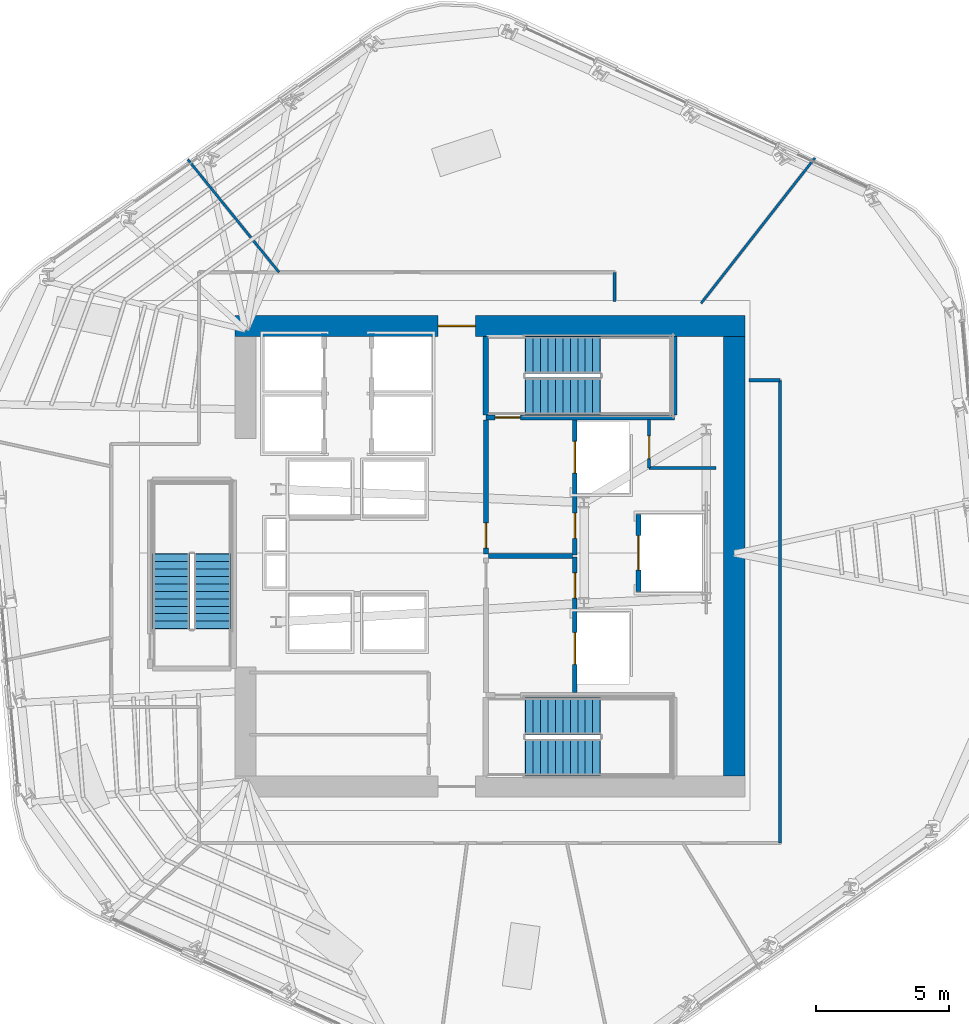
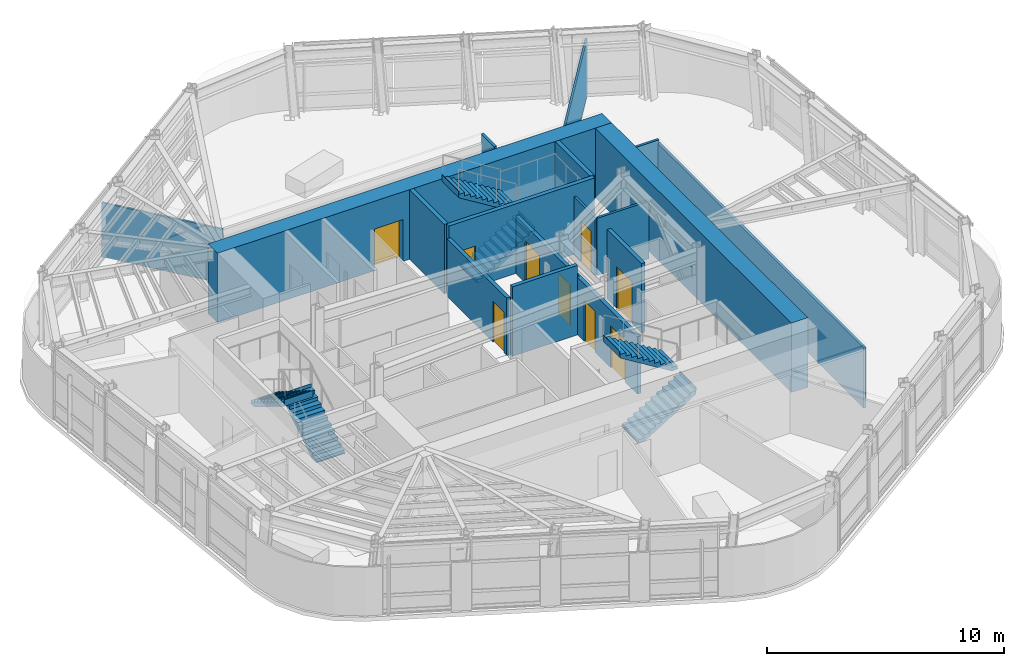
# One storey, part 9 of 14: 17 walls, 9 doors, 6 stair flights, 9 openings, 3 elements without a shape of their own.
"""IFC4 building model written with IfcOpenShell, lengths in metres."""

from ifc_helpers import new_model, si_unit, direction, frame, frame_2d, origin, place, context, subcontext, project, spatial, polyline, rectangle, outline, extrude, material, layer, layer_set, type_object, element, fill, aggregate, save


model = new_model("IFC4")

# Units and contexts
model_context = context("Model", 3, precision=1e-05, world=origin(), true_north=direction((0.0, 1.0)))
body_context = subcontext(model_context, "Body", "Model", "MODEL_VIEW")
ifc_project = project(units=[si_unit("LENGTHUNIT", "METRE"), si_unit("AREAUNIT", "SQUARE_METRE"), si_unit("VOLUMEUNIT", "CUBIC_METRE"), si_unit("PLANEANGLEUNIT", "RADIAN"), si_unit("MASSUNIT", "GRAM", prefix="KILO")], contexts=[model_context])

# Site, building, storey
site_placement = place(None, origin())
site = spatial("IfcSite", under=ifc_project, at=site_placement, CompositionType="ELEMENT")
building_placement = place(site_placement, origin())
building = spatial("IfcBuilding", under=site, at=building_placement, Name="Valkerne Bourse Tower", CompositionType="ELEMENT")
storey_placement = place(building_placement, frame((0.0, 0.0, 174.199951171875)))
storey = spatial("IfcBuildingStorey", under=building, at=storey_placement, Name="L44", CompositionType="ELEMENT", Elevation=174.199951171875)

# Wall, opening, door
ifc_material_1 = material(Name="Concrete C55/67", Category="concrete")
ifc_layer_1 = layer(ifc_material_1, 0.800048828125)
ifc_layer_set_1 = layer_set([ifc_layer_1], Name="Concrete C55/67")
wall_type_1 = type_object("IfcWallType", Name="W-CORE-800", PredefinedType="SHEAR", material=ifc_layer_set_1)
wall_1_placement = place(storey_placement, frame((37.199951171875, 35.550048828125, 0.0), z_axis=(0.0, 0.0, 1.0), x_axis=(1.0, 0.0, 0.0)))
wall_1 = element("IfcWall", 1, at=wall_1_placement, inside=storey, type_object=wall_type_1, Name="L44 Core Shear Wall NORTH", PredefinedType="SHEAR", context=body_context, shape_type="SweptSolid", body=[
    extrude(rectangle(XDim=19.199951171875, YDim=0.800048828125, at=frame_2d((9.60009765625, 0.0))), origin(), (0.0, 0.0, 1.0), 3.580078125),
])
opening_1_placement = place(wall_1_placement, frame((7.64990234375, 0.0, 0.0)))
opening_1 = element("IfcOpeningElement", 2, at=opening_1_placement, cuts=wall_1, Name="Opening D-PL-1400", PredefinedType="OPENING", context=body_context, shape_type="SweptSolid", body=[
    extrude(rectangle(XDim=1.39990234375, YDim=2.14990234375, at=frame_2d((0.699951171875, 1.074951171875))), frame((0.0, 0.409912109375, 0.0), z_axis=(0.0, -1.0, 0.0), x_axis=(1.0, 0.0, 0.0)), (0.0, 0.0, 1.0), 0.820068359375),
])
ifc_material_2 = material(Name="Galvanised Painted Steel", Category="steel")
door_type_1 = type_object("IfcDoorType", Name="DR-PLT-1400", OperationType="DOUBLE_DOOR_SINGLE_SWING", PredefinedType="DOOR", material=ifc_material_2)
door_1_placement = place(opening_1_placement, origin())
door_1 = element("IfcDoor", 3, at=door_1_placement, inside=storey, type_object=door_type_1, Name="L44 North Passenger Lift Hall Fire Door", OperationType="DOUBLE_DOOR_SINGLE_SWING", OverallHeight=2.14990234375, OverallWidth=1.39990234375, PredefinedType="DOOR", context=body_context, shape_type="SweptSolid", body=[
    extrude(rectangle(XDim=1.39990234375, YDim=2.14990234375, at=frame_2d((0.699951171875, 1.074951171875))), frame((0.0, 0.02490234375, 0.0), z_axis=(0.0, -1.0, 0.0), x_axis=(1.0, 0.0, 0.0)), (0.0, 0.0, 1.0), 0.050048828125),
])
fill(opening_1, door_1)

# Wall
wall_2_placement = place(storey_placement, frame((56.0, 18.60009765625, 0.0), z_axis=(0.0, 0.0, 1.0), x_axis=(0.0, 1.0, 0.0)))
element("IfcWall", 4, at=wall_2_placement, inside=storey, type_object=wall_type_1, Name="L44 Core Shear Wall EAST", PredefinedType="SHEAR", context=body_context, shape_type="SweptSolid", body=[
    extrude(rectangle(XDim=16.5498046875, YDim=0.800048828125, at=frame_2d((8.27490234375, 0.0))), origin(), (0.0, 0.0, 1.0), 3.580078125),
])

# Wall, opening, door
ifc_material_3 = material(Name="Gypsum Board Steel-Stud Partition", Category="steel")
ifc_layer_2 = layer(ifc_material_3, 0.117919921875)
ifc_layer_set_2 = layer_set([ifc_layer_2], Name="Gypsum Board Steel-Stud Partition")
wall_type_2 = type_object("IfcWallType", Name="W-CORR-140", PredefinedType="PARTITIONING", material=ifc_layer_set_2)
wall_3_placement = place(storey_placement, frame((52.800048828125, 30.199951171875, 0.0), z_axis=(0.0, 0.0, 1.0), x_axis=(0.0, 1.0, 0.0)))
wall_3 = element("IfcWall", 5, at=wall_3_placement, inside=storey, type_object=wall_type_2, Name="L44 Core NE Bay West Wall", PredefinedType="PARTITIONING", context=body_context, shape_type="SweptSolid", body=[
    extrude(rectangle(XDim=1.820068359375, YDim=0.117919921875, at=frame_2d((0.91015625, 0.0))), origin(), (0.0, 0.0, 1.0), 2.9580078125),
])
opening_2_placement = place(wall_3_placement, frame((0.35009765625, 0.0, 0.0)))
opening_2 = element("IfcOpeningElement", 6, at=opening_2_placement, cuts=wall_3, Name="Opening D-WC-900", PredefinedType="OPENING", context=body_context, shape_type="SweptSolid", body=[
    extrude(rectangle(XDim=0.860107421875, YDim=2.050048828125, at=frame_2d((0.43017578125, 1.02490234375))), frame((0.0, 0.06884765625, 0.0), z_axis=(0.0, -1.0, 0.0), x_axis=(1.0, 0.0, 0.0)), (0.0, 0.0, 1.0), 0.137939453125),
])
ifc_material_4 = material(Name="Architectural White Oak Timber", Category="wood")
door_type_2 = type_object("IfcDoorType", Name="DR-WC-900", OperationType="NOTDEFINED", PredefinedType="DOOR", material=ifc_material_4)
door_2_placement = place(opening_2_placement, origin())
door_2 = element("IfcDoor", 7, at=door_2_placement, inside=storey, type_object=door_type_2, Name="L44 Electrical Closet Door", OperationType="SINGLE_SWING_LEFT", OverallHeight=2.050048828125, OverallWidth=0.860107421875, PredefinedType="DOOR", context=body_context, shape_type="SweptSolid", body=[
    extrude(rectangle(XDim=0.860107421875, YDim=2.050048828125, at=frame_2d((0.43017578125, 1.02490234375))), frame((0.0, 0.02490234375, 0.0), z_axis=(0.0, -1.0, 0.0), x_axis=(1.0, 0.0, 0.0)), (0.0, 0.0, 1.0), 0.050048828125),
])
fill(opening_2, door_2)

# Walls
wall_4_placement = place(storey_placement, frame((52.800048828125, 30.199951171875, 0.0), z_axis=(0.0, 0.0, 1.0), x_axis=(1.0, 0.0, 0.0)))
element("IfcWall", 8, at=wall_4_placement, inside=storey, type_object=wall_type_2, Name="L44 Core NE Bay South Wall", PredefinedType="PARTITIONING", context=body_context, shape_type="SweptSolid", body=[
    extrude(rectangle(XDim=2.52001953125, YDim=0.117919921875, at=frame_2d((1.260009765625, 0.0))), origin(), (0.0, 0.0, 1.0), 2.9580078125),
])
wall_5_placement = place(storey_placement, frame((51.5, 37.56005859375, 0.0), z_axis=(0.0, 0.0, 1.0), x_axis=(0.0, -1.0, 0.0)))
element("IfcWall", 9, at=wall_5_placement, inside=storey, type_object=wall_type_2, Name="L44 Corridor Enclosure Wall", PredefinedType="PARTITIONING", context=body_context, shape_type="SweptSolid", body=[
    extrude(rectangle(XDim=1.10009765625, YDim=0.117919921875, at=frame_2d((0.550048828125, 0.0))), origin(), (0.0, 0.0, 1.0), 3.280029296875),
])
wall_6_placement = place(storey_placement, frame((56.56005859375, 33.5, 0.0), z_axis=(0.0, 0.0, 1.0), x_axis=(1.0, 0.0, 0.0)))
element("IfcWall", 10, at=wall_6_placement, inside=storey, type_object=wall_type_2, Name="L44 Corridor Enclosure Wall", PredefinedType="PARTITIONING", context=body_context, shape_type="SweptSolid", body=[
    extrude(rectangle(XDim=1.159912109375, YDim=0.117919921875, at=frame_2d((0.580078125, 0.0))), origin(), (0.0, 0.0, 1.0), 3.280029296875),
])
wall_7_placement = place(storey_placement, frame((57.719970703125, 33.5, 0.0), z_axis=(0.0, 0.0, 1.0), x_axis=(0.0, -1.0, 0.0)))
element("IfcWall", 11, at=wall_7_placement, inside=storey, type_object=wall_type_2, Name="L44 Corridor Enclosure Wall", PredefinedType="PARTITIONING", context=body_context, shape_type="SweptSolid", body=[
    extrude(rectangle(XDim=17.419921875, YDim=0.117919921875, at=frame_2d((8.7099609375, 0.0))), origin(), (0.0, 0.0, 1.0), 3.107666015625),
])
ifc_material_5 = material(Name="Gypsum Fire-Rated Shaftwall", Category="gypsum")
ifc_layer_3 = layer(ifc_material_5, 0.179931640625)
ifc_layer_set_3 = layer_set([ifc_layer_3], Name="Gypsum Fire-Rated Shaftwall")
wall_type_3 = type_object("IfcWallType", Name="W-FSAE-180", PredefinedType="PARTITIONING", material=ifc_layer_set_3)
wall_8_placement = place(storey_placement, frame((46.739990234375, 26.8798828125, 0.0), z_axis=(0.0, 0.0, 1.0), x_axis=(1.0, 0.0, 0.0)))
element("IfcWall", 12, at=wall_8_placement, inside=storey, type_object=wall_type_3, Name="L44 FSAE-1/2 Lobby Dividing Fire Wall", PredefinedType="PARTITIONING", context=body_context, shape_type="SweptSolid", body=[
    extrude(rectangle(XDim=3.169921875, YDim=0.179931640625, at=frame_2d((1.5849609375, 0.0))), origin(), (0.0, 0.0, 1.0), 3.580078125),
])

# Wall, opening, door
wall_9_placement = place(storey_placement, frame((46.64990234375, 26.9599609375, 0.0), z_axis=(0.0, 0.0, 1.0), x_axis=(0.0, 1.0, 0.0)))
wall_9 = element("IfcWall", 13, at=wall_9_placement, inside=storey, type_object=wall_type_3, Name="L44 FSAE-2 Lobby West Fire Wall", PredefinedType="PARTITIONING", context=body_context, shape_type="SweptSolid", body=[
    extrude(rectangle(XDim=5.0400390625, YDim=0.179931640625, at=frame_2d((2.52001953125, 0.0))), origin(), (0.0, 0.0, 1.0), 2.9580078125),
])
opening_3_placement = place(wall_9_placement, frame((0.219970703125, 0.0, 0.0)))
opening_3 = element("IfcOpeningElement", 14, at=opening_3_placement, cuts=wall_9, Name="Opening D-FS-950", PredefinedType="OPENING", context=body_context, shape_type="SweptSolid", body=[
    extrude(rectangle(XDim=0.949951171875, YDim=2.10009765625, at=frame_2d((0.47509765625, 1.050048828125))), frame((0.0, 0.099853515625, 0.0), z_axis=(0.0, -1.0, 0.0), x_axis=(1.0, 0.0, 0.0)), (0.0, 0.0, 1.0), 0.199951171875),
])
door_type_3 = type_object("IfcDoorType", Name="DR-FSAE-950", OperationType="NOTDEFINED", PredefinedType="DOOR", material=ifc_material_2)
door_3_placement = place(opening_3_placement, origin())
door_3 = element("IfcDoor", 15, at=door_3_placement, inside=storey, type_object=door_type_3, Name="L44 FSAE-2 Hall Link Fire Door", OperationType="SINGLE_SWING_RIGHT", OverallHeight=2.10009765625, OverallWidth=0.949951171875, PredefinedType="DOOR", context=body_context, shape_type="SweptSolid", body=[
    extrude(rectangle(XDim=0.949951171875, YDim=2.10009765625, at=frame_2d((0.47509765625, 1.050048828125))), frame((0.0, 0.02490234375, 0.0), z_axis=(0.0, -1.0, 0.0), x_axis=(1.0, 0.0, 0.0)), (0.0, 0.0, 1.0), 0.050048828125),
])
fill(opening_3, door_3)

# Wall, openings, doors
wall_10_placement = place(storey_placement, frame((50.0, 21.75, 0.0), z_axis=(0.0, 0.0, 1.0), x_axis=(0.0, 1.0, 0.0)))
wall_10 = element("IfcWall", 16, at=wall_10_placement, inside=storey, type_object=wall_type_3, Name="L44 FSAE-1 Lobby & Shaft Front Wall", PredefinedType="PARTITIONING", context=body_context, shape_type="SweptSolid", body=[
    extrude(rectangle(XDim=5.090087890625, YDim=0.179931640625, at=frame_2d((2.544921875, 0.0))), origin(), (0.0, 0.0, 1.0), 2.9580078125),
])
opening_4_placement = place(wall_10_placement, frame((1.050048828125, 0.0, 0.0)))
opening_4 = element("IfcOpeningElement", 17, at=opening_4_placement, cuts=wall_10, Name="Opening LD-1200", PredefinedType="OPENING", context=body_context, shape_type="SweptSolid", body=[
    extrude(rectangle(XDim=1.199951171875, YDim=2.14990234375, at=frame_2d((0.60009765625, 1.074951171875))), frame((0.0, 0.099853515625, 0.0), z_axis=(0.0, -1.0, 0.0), x_axis=(1.0, 0.0, 0.0)), (0.0, 0.0, 1.0), 0.199951171875),
])
opening_5_placement = place(wall_10_placement, frame((3.550048828125, 0.0, 0.0)))
opening_5 = element("IfcOpeningElement", 18, at=opening_5_placement, cuts=wall_10, Name="Opening D-FS-950", PredefinedType="OPENING", context=body_context, shape_type="SweptSolid", body=[
    extrude(rectangle(XDim=0.949951171875, YDim=2.10009765625, at=frame_2d((0.47509765625, 1.050048828125))), frame((0.0, 0.099853515625, 0.0), z_axis=(0.0, -1.0, 0.0), x_axis=(1.0, 0.0, 0.0)), (0.0, 0.0, 1.0), 0.199951171875),
])
door_4_placement = place(opening_5_placement, origin())
door_4 = element("IfcDoor", 19, at=door_4_placement, inside=storey, type_object=door_type_3, Name="L44 FSAE-1 Lobby Corridor Fire Door", OperationType="SINGLE_SWING_RIGHT", OverallHeight=2.10009765625, OverallWidth=0.949951171875, PredefinedType="DOOR", context=body_context, shape_type="SweptSolid", body=[
    extrude(rectangle(XDim=0.949951171875, YDim=2.10009765625, at=frame_2d((0.47509765625, 1.050048828125))), frame((0.0, 0.02490234375, 0.0), z_axis=(0.0, -1.0, 0.0), x_axis=(1.0, 0.0, 0.0)), (0.0, 0.0, 1.0), 0.050048828125),
])
fill(opening_5, door_4)
ifc_material_6 = material(Name="Stainless Steel AISI 316", Category="steel")
door_type_4 = type_object("IfcDoorType", Name="DR-LIFT-1200", OperationType="DOUBLE_DOOR_SLIDING", PredefinedType="DOOR", material=ifc_material_6)
door_5_placement = place(opening_4_placement, origin())
door_5 = element("IfcDoor", 20, at=door_5_placement, inside=storey, type_object=door_type_4, Name="L44 FSAE-1 Firefighting Lift Landing Door", OperationType="DOUBLE_DOOR_SLIDING", OverallHeight=2.14990234375, OverallWidth=1.199951171875, PredefinedType="DOOR", context=body_context, shape_type="SweptSolid", body=[
    extrude(rectangle(XDim=1.199951171875, YDim=2.14990234375, at=frame_2d((0.60009765625, 1.074951171875))), frame((0.0, 0.02490234375, 0.0), z_axis=(0.0, -1.0, 0.0), x_axis=(1.0, 0.0, 0.0)), (0.0, 0.0, 1.0), 0.050048828125),
])
fill(opening_4, door_5)

wall_11_placement = place(storey_placement, frame((50.0, 26.919921875, 0.0), z_axis=(0.0, 0.0, 1.0), x_axis=(0.0, 1.0, 0.0)))
wall_11 = element("IfcWall", 21, at=wall_11_placement, inside=storey, type_object=wall_type_3, Name="L44 FSAE-2 Lobby & Shaft Front Wall", PredefinedType="PARTITIONING", context=body_context, shape_type="SweptSolid", body=[
    extrude(rectangle(XDim=5.080078125, YDim=0.179931640625, at=frame_2d((2.5400390625, 0.0))), origin(), (0.0, 0.0, 1.0), 2.9580078125),
])
opening_6_placement = place(wall_11_placement, frame((3.080078125, 0.0, 0.0)))
opening_6 = element("IfcOpeningElement", 22, at=opening_6_placement, cuts=wall_11, Name="Opening LD-1200", PredefinedType="OPENING", context=body_context, shape_type="SweptSolid", body=[
    extrude(rectangle(XDim=1.199951171875, YDim=2.14990234375, at=frame_2d((0.60009765625, 1.074951171875))), frame((0.0, 0.099853515625, 0.0), z_axis=(0.0, -1.0, 0.0), x_axis=(1.0, 0.0, 0.0)), (0.0, 0.0, 1.0), 0.199951171875),
])
opening_7_placement = place(wall_11_placement, frame((0.6298828125, 0.0, 0.0)))
opening_7 = element("IfcOpeningElement", 23, at=opening_7_placement, cuts=wall_11, Name="Opening D-FS-950", PredefinedType="OPENING", context=body_context, shape_type="SweptSolid", body=[
    extrude(rectangle(XDim=0.949951171875, YDim=2.10009765625, at=frame_2d((0.47509765625, 1.050048828125))), frame((0.0, 0.099853515625, 0.0), z_axis=(0.0, -1.0, 0.0), x_axis=(1.0, 0.0, 0.0)), (0.0, 0.0, 1.0), 0.199951171875),
])
door_6_placement = place(opening_7_placement, origin())
door_6 = element("IfcDoor", 24, at=door_6_placement, inside=storey, type_object=door_type_3, Name="L44 FSAE-2 Lobby Corridor Fire Door", OperationType="SINGLE_SWING_RIGHT", OverallHeight=2.10009765625, OverallWidth=0.949951171875, PredefinedType="DOOR", context=body_context, shape_type="SweptSolid", body=[
    extrude(rectangle(XDim=0.949951171875, YDim=2.10009765625, at=frame_2d((0.47509765625, 1.050048828125))), frame((0.0, 0.02490234375, 0.0), z_axis=(0.0, -1.0, 0.0), x_axis=(1.0, 0.0, 0.0)), (0.0, 0.0, 1.0), 0.050048828125),
])
fill(opening_7, door_6)
door_7_placement = place(opening_6_placement, origin())
door_7 = element("IfcDoor", 25, at=door_7_placement, inside=storey, type_object=door_type_4, Name="L44 FSAE-2 Firefighting Lift Landing Door", OperationType="DOUBLE_DOOR_SLIDING", OverallHeight=2.14990234375, OverallWidth=1.199951171875, PredefinedType="DOOR", context=body_context, shape_type="SweptSolid", body=[
    extrude(rectangle(XDim=1.199951171875, YDim=2.14990234375, at=frame_2d((0.60009765625, 1.074951171875))), frame((0.0, 0.02490234375, 0.0), z_axis=(0.0, -1.0, 0.0), x_axis=(1.0, 0.0, 0.0)), (0.0, 0.0, 1.0), 0.050048828125),
])
fill(opening_6, door_7)

# Wall, opening, door
ifc_material_7 = material(Name="CMU Blockwork Masonry 200mm", Category="masonry")
ifc_layer_4 = layer(ifc_material_7, 0.179931640625)
ifc_layer_set_4 = layer_set([ifc_layer_4], Name="CMU Blockwork Masonry 200mm")
wall_type_4 = type_object("IfcWallType", Name="W-LFT-180", PredefinedType="SOLIDWALL", material=ifc_layer_set_4)
wall_12_placement = place(storey_placement, frame((52.39990234375, 25.550048828125, 0.0), z_axis=(0.0, 0.0, 1.0), x_axis=(0.0, 1.0, 0.0)))
wall_12 = element("IfcWall", 26, at=wall_12_placement, inside=storey, type_object=wall_type_4, Name="L44 Service Lift SV-1 Front Wall", PredefinedType="SOLIDWALL", context=body_context, shape_type="SweptSolid", body=[
    extrude(rectangle(XDim=2.89990234375, YDim=0.179931640625, at=frame_2d((1.449951171875, 0.0))), origin(), (0.0, 0.0, 1.0), 3.580078125),
])
opening_8_placement = place(wall_12_placement, frame((0.800048828125, 0.0, 0.0)))
opening_8 = element("IfcOpeningElement", 27, at=opening_8_placement, cuts=wall_12, Name="Opening LD-1300", PredefinedType="OPENING", context=body_context, shape_type="SweptSolid", body=[
    extrude(rectangle(XDim=1.300048828125, YDim=2.14990234375, at=frame_2d((0.64990234375, 1.074951171875))), frame((0.0, 0.099853515625, 0.0), z_axis=(0.0, -1.0, 0.0), x_axis=(1.0, 0.0, 0.0)), (0.0, 0.0, 1.0), 0.199951171875),
])
door_type_5 = type_object("IfcDoorType", Name="DR-LIFT-1300", OperationType="DOUBLE_DOOR_SLIDING", PredefinedType="DOOR", material=ifc_material_6)
door_8_placement = place(opening_8_placement, origin())
door_8 = element("IfcDoor", 28, at=door_8_placement, inside=storey, type_object=door_type_5, Name="L44 Service Lift SV-1 Landing Door", OperationType="DOUBLE_DOOR_SLIDING", OverallHeight=2.14990234375, OverallWidth=1.300048828125, PredefinedType="DOOR", context=body_context, shape_type="SweptSolid", body=[
    extrude(rectangle(XDim=1.300048828125, YDim=2.14990234375, at=frame_2d((0.64990234375, 1.074951171875))), frame((0.0, 0.02490234375, 0.0), z_axis=(0.0, -1.0, 0.0), x_axis=(1.0, 0.0, 0.0)), (0.0, 0.0, 1.0), 0.050048828125),
])
fill(opening_8, door_8)

# Walls
ifc_layer_5 = layer(ifc_material_3, 0.092041015625)
ifc_layer_set_5 = layer_set([ifc_layer_5], Name="Gypsum Board Steel-Stud Partition")
wall_type_5 = type_object("IfcWallType", Name="W-PART-115", PredefinedType="PARTITIONING", material=ifc_layer_set_5)
wall_13_placement = place(storey_placement, frame((54.75634765625, 36.39990234375, 0.0), z_axis=(0.0, 0.0, 1.0), x_axis=(0.616293115124, 0.787516854582, 0.0)))
element("IfcWall", 29, at=wall_13_placement, inside=storey, type_object=wall_type_5, Name="L44 Suite Partition P04", PredefinedType="PARTITIONING", context=body_context, shape_type="SweptSolid", body=[
    extrude(rectangle(XDim=6.953857421875, YDim=0.092041015625, at=frame_2d((3.47705078125, 0.0))), origin(), (0.0, 0.0, 1.0), 2.942626953125),
])
wall_14_placement = place(storey_placement, frame((38.861083984375, 37.56494140625, 0.0), z_axis=(0.0, 0.0, 1.0), x_axis=(-0.628586544155, 0.777739645709, 0.0)))
element("IfcWall", 30, at=wall_14_placement, inside=storey, type_object=wall_type_5, Name="L44 Suite Partition P05", PredefinedType="PARTITIONING", context=body_context, shape_type="SweptSolid", body=[
    extrude(rectangle(XDim=5.467041015625, YDim=0.092041015625, at=frame_2d((2.7333984375, 0.0))), origin(), (0.0, 0.0, 1.0), 2.800537109375),
])

# Wall, opening, door
ifc_material_8 = material(Name="Concrete C40/50", Category="concrete")
ifc_layer_6 = layer(ifc_material_8, 0.199951171875)
ifc_layer_set_6 = layer_set([ifc_layer_6], Name="Concrete C40/50")
wall_type_6 = type_object("IfcWallType", Name="W-SHF-200", PredefinedType="SHEAR", material=ifc_layer_set_6)
wall_15_placement = place(storey_placement, frame((46.64990234375, 32.10009765625, 0.0), z_axis=(0.0, 0.0, 1.0), x_axis=(1.0, 0.0, 0.0)))
wall_15 = element("IfcWall", 31, at=wall_15_placement, inside=storey, type_object=wall_type_6, Name="L44 Exit Stair ST-2 Structural Shaft Wall South", PredefinedType="SHEAR", context=body_context, shape_type="SweptSolid", body=[
    extrude(rectangle(XDim=7.10009765625, YDim=0.199951171875, at=frame_2d((3.550048828125, 0.0))), origin(), (0.0, 0.0, 1.0), 3.580078125),
])
opening_9_placement = place(wall_15_placement, frame((0.35009765625, 0.0, 0.0)))
opening_9 = element("IfcOpeningElement", 32, at=opening_9_placement, cuts=wall_15, Name="Opening D-ST-950", PredefinedType="OPENING", context=body_context, shape_type="SweptSolid", body=[
    extrude(rectangle(XDim=0.949951171875, YDim=2.10009765625, at=frame_2d((0.47509765625, 1.050048828125))), frame((0.0, 0.10986328125, 0.0), z_axis=(0.0, -1.0, 0.0), x_axis=(1.0, 0.0, 0.0)), (0.0, 0.0, 1.0), 0.219970703125),
])
door_type_6 = type_object("IfcDoorType", Name="DR-STAIR-950", OperationType="NOTDEFINED", PredefinedType="DOOR", material=ifc_material_2)
door_9_placement = place(opening_9_placement, origin())
door_9 = element("IfcDoor", 33, at=door_9_placement, inside=storey, type_object=door_type_6, Name="L44 Exit Stair ST-2 Door", OperationType="SINGLE_SWING_RIGHT", OverallHeight=2.10009765625, OverallWidth=0.949951171875, PredefinedType="DOOR", context=body_context, shape_type="SweptSolid", body=[
    extrude(rectangle(XDim=0.949951171875, YDim=2.10009765625, at=frame_2d((0.47509765625, 1.050048828125))), frame((0.0, 0.02490234375, 0.0), z_axis=(0.0, -1.0, 0.0), x_axis=(1.0, 0.0, 0.0)), (0.0, 0.0, 1.0), 0.050048828125),
])
fill(opening_9, door_9)

# Walls
for number, where, z_axis, x_axis, name in (
    (34, (46.64990234375, 32.199951171875, 0.0), (0.0, 0.0, 1.0), (0.0, 1.0, 0.0), "L44 Exit Stair ST-2 Structural Shaft Wall West"),
    (35, (53.75, 32.199951171875, 0.0), (0.0, 0.0, 1.0), (0.0, 1.0, 0.0), "L44 Exit Stair ST-2 Structural Shaft Wall East"),
):
    element("IfcWall", number, at=place(storey_placement, frame(where, z_axis=z_axis, x_axis=x_axis)), inside=storey, type_object=wall_type_6, Name=name, PredefinedType="SHEAR", context=body_context, shape_type="SweptSolid", body=[
        extrude(rectangle(XDim=2.949951171875, YDim=0.199951171875, at=frame_2d((1.47509765625, 0.0))), origin(), (0.0, 0.0, 1.0), 3.580078125),
    ])

# Stair, stair flights
stair_type = type_object("IfcStairType", Name="ST-CORE-1400", PredefinedType="HALF_TURN_STAIR", material=ifc_material_8)
stair_1_placement = place(storey_placement, origin())
stair_1 = element("IfcStair", 36, at=stair_1_placement, inside=storey, type_object=stair_type, Name="L44 ST-1", PredefinedType="HALF_TURN_STAIR")
stair_flight_type = type_object("IfcStairFlightType", Name="STF-CORE-1400", PredefinedType="STRAIGHT", material=ifc_material_8)
stair_flight_1_placement = place(storey_placement, frame((48.14990234375, 19.300048828125, 0.0), z_axis=(0.0, 0.0, 1.0), x_axis=(1.0, 0.0, 0.0)))
stair_flight_1 = element("IfcStairFlight", 37, at=stair_flight_1_placement, type_object=stair_flight_type, Name="ST-1 flight 1", NumberOfRisers=11, NumberOfTreads=10, PredefinedType="STRAIGHT", RiserHeight=0.172727273, TreadLength=0.28, context=body_context, shape_type="SweptSolid", body=[
    extrude(outline(polyline([(-0.02001953125, 0.0), (-0.02001953125, 0.044921875), (0.0, 0.044921875), (0.0, 0.172607421875), (0.280029296875, 0.172607421875), (0.280029296875, 0.345458984375), (0.56005859375, 0.345458984375), (0.56005859375, 0.51806640625), (0.840087890625, 0.51806640625), (0.840087890625, 0.69091796875), (1.1201171875, 0.69091796875), (1.1201171875, 0.863525390625), (1.39990234375, 0.863525390625), (1.39990234375, 1.036376953125), (1.679931640625, 1.036376953125), (1.679931640625, 1.208984375), (1.9599609375, 1.208984375), (1.9599609375, 1.3818359375), (2.239990234375, 1.3818359375), (2.239990234375, 1.554443359375), (2.52001953125, 1.554443359375), (2.52001953125, 1.727294921875), (2.800048828125, 1.727294921875), (2.800048828125, 1.89990234375), (2.820068359375, 1.89990234375), (2.820068359375, 1.780029296875), (2.800048828125, 1.551025390625), (0.285400390625, 0.0), (-0.02001953125, 0.0)])), frame((0.0, 0.699951171875, 0.0), z_axis=(0.0, -1.0, 0.0), x_axis=(1.0, 0.0, 0.0)), (0.0, 0.0, 1.0), 1.39990234375),
])
stair_flight_2_placement = place(storey_placement, frame((50.949951171875, 20.85009765625, 1.900146484375), z_axis=(0.0, 0.0, 1.0), x_axis=(-1.0, 0.0, 0.0)))
stair_flight_2 = element("IfcStairFlight", 38, at=stair_flight_2_placement, type_object=stair_flight_type, Name="ST-1 flight 2", NumberOfRisers=11, NumberOfTreads=10, PredefinedType="STRAIGHT", RiserHeight=0.172727273, TreadLength=0.28, context=body_context, shape_type="SweptSolid", body=[
    extrude(outline(polyline([(-0.02001953125, 0.0), (-0.02001953125, 0.044921875), (0.0, 0.044921875), (0.0, 0.172607421875), (0.280029296875, 0.172607421875), (0.280029296875, 0.345458984375), (0.56005859375, 0.345458984375), (0.56005859375, 0.51806640625), (0.840087890625, 0.51806640625), (0.840087890625, 0.69091796875), (1.1201171875, 0.69091796875), (1.1201171875, 0.863525390625), (1.39990234375, 0.863525390625), (1.39990234375, 1.036376953125), (1.679931640625, 1.036376953125), (1.679931640625, 1.208984375), (1.9599609375, 1.208984375), (1.9599609375, 1.3818359375), (2.239990234375, 1.3818359375), (2.239990234375, 1.554443359375), (2.52001953125, 1.554443359375), (2.52001953125, 1.727294921875), (2.800048828125, 1.727294921875), (2.800048828125, 1.89990234375), (2.820068359375, 1.89990234375), (2.820068359375, 1.780029296875), (2.800048828125, 1.551025390625), (0.285400390625, 0.0), (-0.02001953125, 0.0)])), frame((0.0, 0.699951171875, 0.0), z_axis=(0.0, -1.0, 0.0), x_axis=(1.0, 0.0, 0.0)), (0.0, 0.0, 1.0), 1.39990234375),
])
aggregate(stair_1, [stair_flight_1, stair_flight_2])

stair_2_placement = place(storey_placement, origin())
stair_2 = element("IfcStair", 39, at=stair_2_placement, inside=storey, type_object=stair_type, Name="L44 ST-2", PredefinedType="HALF_TURN_STAIR")
stair_flight_3_placement = place(storey_placement, frame((48.14990234375, 32.89990234375, 0.0), z_axis=(0.0, 0.0, 1.0), x_axis=(1.0, 0.0, 0.0)))
stair_flight_3 = element("IfcStairFlight", 40, at=stair_flight_3_placement, type_object=stair_flight_type, Name="ST-2 flight 1", NumberOfRisers=11, NumberOfTreads=10, PredefinedType="STRAIGHT", RiserHeight=0.172727273, TreadLength=0.28, context=body_context, shape_type="SweptSolid", body=[
    extrude(outline(polyline([(-0.02001953125, 0.0), (-0.02001953125, 0.044921875), (0.0, 0.044921875), (0.0, 0.172607421875), (0.280029296875, 0.172607421875), (0.280029296875, 0.345458984375), (0.56005859375, 0.345458984375), (0.56005859375, 0.51806640625), (0.840087890625, 0.51806640625), (0.840087890625, 0.69091796875), (1.1201171875, 0.69091796875), (1.1201171875, 0.863525390625), (1.39990234375, 0.863525390625), (1.39990234375, 1.036376953125), (1.679931640625, 1.036376953125), (1.679931640625, 1.208984375), (1.9599609375, 1.208984375), (1.9599609375, 1.3818359375), (2.239990234375, 1.3818359375), (2.239990234375, 1.554443359375), (2.52001953125, 1.554443359375), (2.52001953125, 1.727294921875), (2.800048828125, 1.727294921875), (2.800048828125, 1.89990234375), (2.820068359375, 1.89990234375), (2.820068359375, 1.780029296875), (2.800048828125, 1.551025390625), (0.285400390625, 0.0), (-0.02001953125, 0.0)])), frame((0.0, 0.699951171875, 0.0), z_axis=(0.0, -1.0, 0.0), x_axis=(1.0, 0.0, 0.0)), (0.0, 0.0, 1.0), 1.39990234375),
])
stair_flight_4_placement = place(storey_placement, frame((50.949951171875, 34.449951171875, 1.900146484375), z_axis=(0.0, 0.0, 1.0), x_axis=(-1.0, 0.0, 0.0)))
stair_flight_4 = element("IfcStairFlight", 41, at=stair_flight_4_placement, type_object=stair_flight_type, Name="ST-2 flight 2", NumberOfRisers=11, NumberOfTreads=10, PredefinedType="STRAIGHT", RiserHeight=0.172727273, TreadLength=0.28, context=body_context, shape_type="SweptSolid", body=[
    extrude(outline(polyline([(-0.02001953125, 0.0), (-0.02001953125, 0.044921875), (0.0, 0.044921875), (0.0, 0.172607421875), (0.280029296875, 0.172607421875), (0.280029296875, 0.345458984375), (0.56005859375, 0.345458984375), (0.56005859375, 0.51806640625), (0.840087890625, 0.51806640625), (0.840087890625, 0.69091796875), (1.1201171875, 0.69091796875), (1.1201171875, 0.863525390625), (1.39990234375, 0.863525390625), (1.39990234375, 1.036376953125), (1.679931640625, 1.036376953125), (1.679931640625, 1.208984375), (1.9599609375, 1.208984375), (1.9599609375, 1.3818359375), (2.239990234375, 1.3818359375), (2.239990234375, 1.554443359375), (2.52001953125, 1.554443359375), (2.52001953125, 1.727294921875), (2.800048828125, 1.727294921875), (2.800048828125, 1.89990234375), (2.820068359375, 1.89990234375), (2.820068359375, 1.780029296875), (2.800048828125, 1.551025390625), (0.285400390625, 0.0), (-0.02001953125, 0.0)])), frame((0.0, 0.699951171875, 0.0), z_axis=(0.0, -1.0, 0.0), x_axis=(1.0, 0.0, 0.0)), (0.0, 0.0, 1.0), 1.39990234375),
])
aggregate(stair_2, [stair_flight_3, stair_flight_4])

stair_3_placement = place(storey_placement, origin())
stair_3 = element("IfcStair", 42, at=stair_3_placement, inside=storey, type_object=stair_type, Name="L44 ST-3", PredefinedType="HALF_TURN_STAIR")
stair_flight_5_placement = place(storey_placement, frame((36.35009765625, 24.14990234375, 0.0), z_axis=(0.0, 0.0, 1.0), x_axis=(0.0, 1.0, 0.0)))
stair_flight_5 = element("IfcStairFlight", 43, at=stair_flight_5_placement, type_object=stair_flight_type, Name="ST-3 flight 1", NumberOfRisers=11, NumberOfTreads=10, PredefinedType="STRAIGHT", RiserHeight=0.172727273, TreadLength=0.28, context=body_context, shape_type="SweptSolid", body=[
    extrude(outline(polyline([(-0.02001953125, 0.0), (-0.02001953125, 0.044921875), (0.0, 0.044921875), (0.0, 0.172607421875), (0.280029296875, 0.172607421875), (0.280029296875, 0.345458984375), (0.56005859375, 0.345458984375), (0.56005859375, 0.51806640625), (0.840087890625, 0.51806640625), (0.840087890625, 0.69091796875), (1.1201171875, 0.69091796875), (1.1201171875, 0.863525390625), (1.39990234375, 0.863525390625), (1.39990234375, 1.036376953125), (1.679931640625, 1.036376953125), (1.679931640625, 1.208984375), (1.9599609375, 1.208984375), (1.9599609375, 1.3818359375), (2.239990234375, 1.3818359375), (2.239990234375, 1.554443359375), (2.52001953125, 1.554443359375), (2.52001953125, 1.727294921875), (2.800048828125, 1.727294921875), (2.800048828125, 1.89990234375), (2.820068359375, 1.89990234375), (2.820068359375, 1.780029296875), (2.800048828125, 1.551025390625), (0.285400390625, 0.0), (-0.02001953125, 0.0)])), frame((0.0, 0.699951171875, 0.0), z_axis=(0.0, -1.0, 0.0), x_axis=(1.0, 0.0, 0.0)), (0.0, 0.0, 1.0), 1.39990234375),
])
stair_flight_6_placement = place(storey_placement, frame((34.800048828125, 26.949951171875, 1.900146484375), z_axis=(0.0, 0.0, 1.0), x_axis=(0.0, -1.0, 0.0)))
stair_flight_6 = element("IfcStairFlight", 44, at=stair_flight_6_placement, type_object=stair_flight_type, Name="ST-3 flight 2", NumberOfRisers=11, NumberOfTreads=10, PredefinedType="STRAIGHT", RiserHeight=0.172727273, TreadLength=0.28, context=body_context, shape_type="SweptSolid", body=[
    extrude(outline(polyline([(-0.02001953125, 0.0), (-0.02001953125, 0.044921875), (0.0, 0.044921875), (0.0, 0.172607421875), (0.280029296875, 0.172607421875), (0.280029296875, 0.345458984375), (0.56005859375, 0.345458984375), (0.56005859375, 0.51806640625), (0.840087890625, 0.51806640625), (0.840087890625, 0.69091796875), (1.1201171875, 0.69091796875), (1.1201171875, 0.863525390625), (1.39990234375, 0.863525390625), (1.39990234375, 1.036376953125), (1.679931640625, 1.036376953125), (1.679931640625, 1.208984375), (1.9599609375, 1.208984375), (1.9599609375, 1.3818359375), (2.239990234375, 1.3818359375), (2.239990234375, 1.554443359375), (2.52001953125, 1.554443359375), (2.52001953125, 1.727294921875), (2.800048828125, 1.727294921875), (2.800048828125, 1.89990234375), (2.820068359375, 1.89990234375), (2.820068359375, 1.780029296875), (2.800048828125, 1.551025390625), (0.285400390625, 0.0), (-0.02001953125, 0.0)])), frame((0.0, 0.699951171875, 0.0), z_axis=(0.0, -1.0, 0.0), x_axis=(1.0, 0.0, 0.0)), (0.0, 0.0, 1.0), 1.39990234375),
])
aggregate(stair_3, [stair_flight_5, stair_flight_6])

save(model, "model.ifc")
